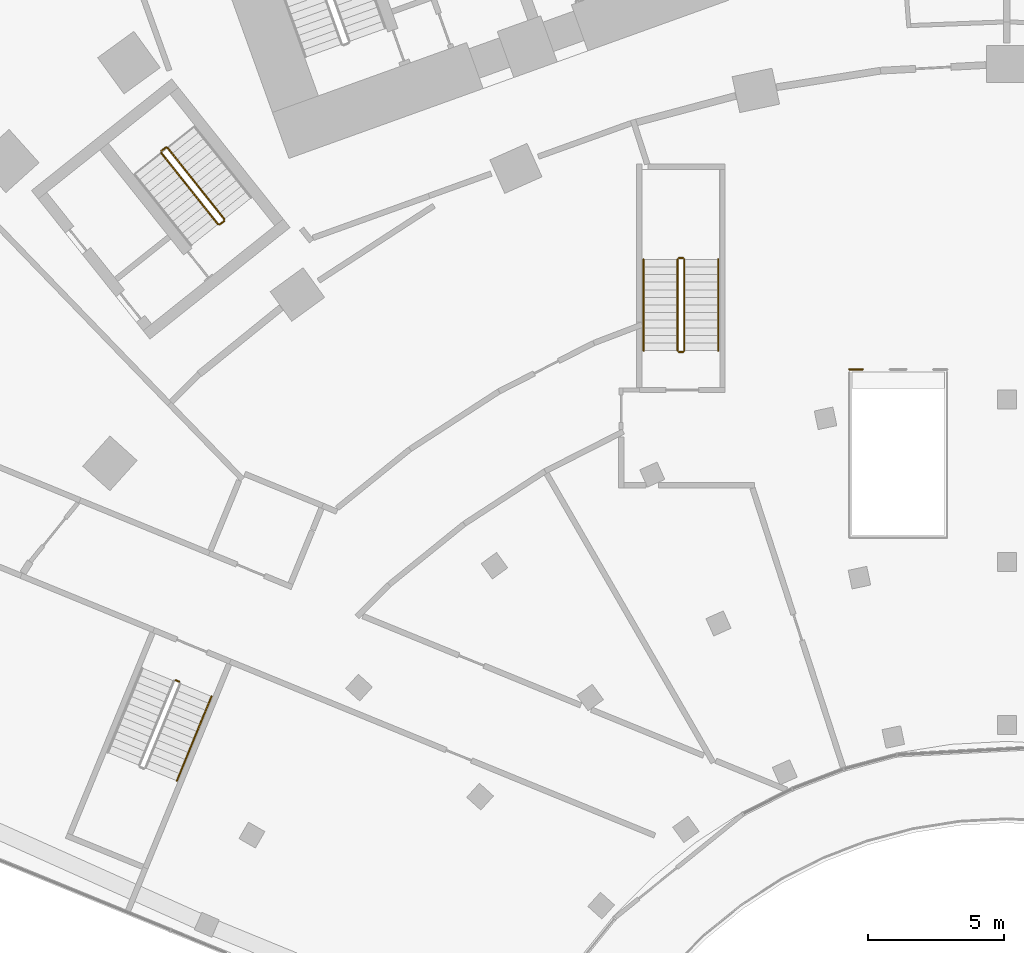
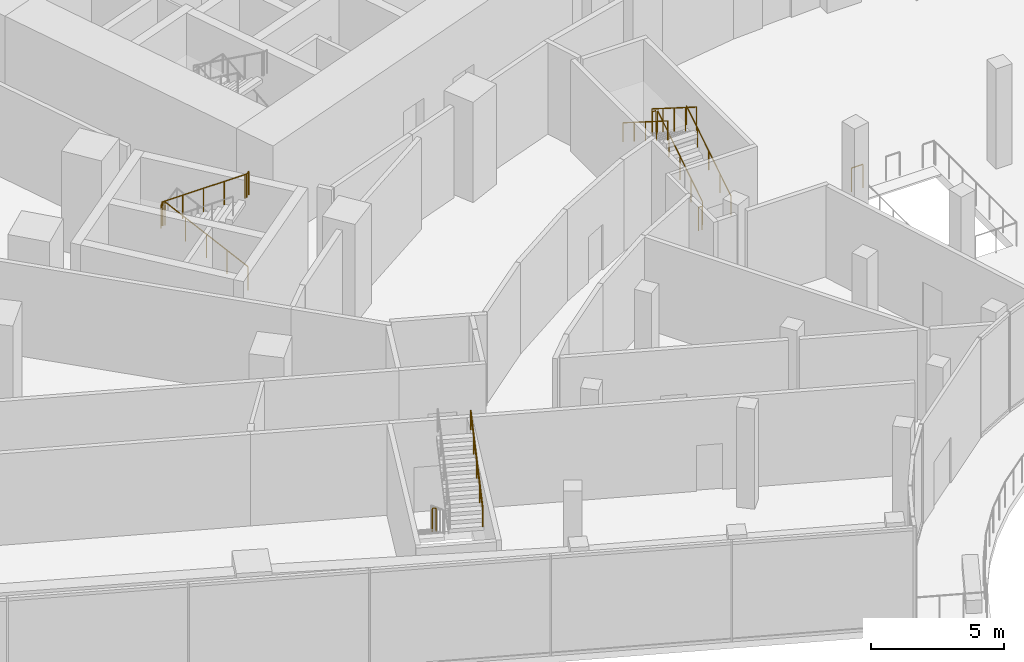
# One storey, part 33 of 40: 11 railings.
"""IFC4 building model written with IfcOpenShell, lengths in metres."""

from ifc_helpers import new_model, si_unit, direction, frame, origin, origin_2d, place, context, subcontext, project, spatial, circle, extrude, material, type_object, element, save


model = new_model("IFC4")

# Units and contexts
model_context = context("Model", 3, precision=1e-05, world=origin(), true_north=direction((0.0, 1.0)))
body_context = subcontext(model_context, "Body", "Model", "MODEL_VIEW")
ifc_project = project(units=[si_unit("LENGTHUNIT", "METRE"), si_unit("AREAUNIT", "SQUARE_METRE"), si_unit("VOLUMEUNIT", "CUBIC_METRE"), si_unit("PLANEANGLEUNIT", "RADIAN"), si_unit("MASSUNIT", "GRAM", prefix="KILO")], contexts=[model_context])

# Site, building, storey
site_placement = place(None, origin())
site = spatial("IfcSite", under=ifc_project, at=site_placement, CompositionType="ELEMENT")
building_placement = place(site_placement, origin())
building = spatial("IfcBuilding", under=site, at=building_placement, Name="Stone Belt Terrace Tower", CompositionType="ELEMENT")
storey_placement = place(building_placement, frame((0.0, 0.0, 7.0)))
storey = spatial("IfcBuildingStorey", under=building, at=storey_placement, Name="L01", CompositionType="ELEMENT", Elevation=7.0)

# Railings
ifc_material_1 = material(Name="Glass and stainless steel balustrade", Category="steel")
railing_type_1 = type_object("IfcRailingType", Name="Podium guard 1100", PredefinedType="GUARDRAIL", material=ifc_material_1)
railing_1_placement = place(storey_placement, frame((-5.800048828125, 33.199951171875, 0.0)))
element("IfcRailing", 1, at=railing_1_placement, inside=storey, type_object=railing_type_1, Name="Escalator E1 arrival edge guard 1", PredefinedType="GUARDRAIL", context=body_context, shape_type="SweptSolid", body=[
    extrude(circle(Radius=0.02392578125, at=origin_2d()), frame((0.0, 0.0, 1.076171875), z_axis=(1.0, 0.0, 0.0), x_axis=(0.0, 1.0, 0.0)), (0.0, 0.0, 1.0), 0.5),
    extrude(circle(Radius=0.02099609375, at=origin_2d()), origin(), (0.0, 0.0, 1.0), 1.052001953125),
    extrude(circle(Radius=0.02099609375, at=origin_2d()), frame((0.5, 0.0, 0.0)), (0.0, 0.0, 1.0), 1.052001953125),
])
ifc_material_2 = material(Name="Steel balustrade", Category="steel")
railing_type_2 = type_object("IfcRailingType", Name="Podium stair guard", PredefinedType="GUARDRAIL", material=ifc_material_2)
railing_2_placement = place(storey_placement, frame((-30.611572265625, 21.75439453125, 0.0)))
element("IfcRailing", 2, at=railing_2_placement, inside=storey, type_object=railing_type_2, Name="L01 PS1 stair guard 4", PredefinedType="GUARDRAIL", context=body_context, shape_type="SweptSolid", body=[
    extrude(circle(Radius=0.02392578125, at=origin_2d()), frame((0.0, 0.0, 1.076171875), z_axis=(0.925183283695, -0.379520607572, 0.0), x_axis=(0.379520607572, 0.925183283695, 0.0)), (0.0, 0.0, 1.0), 0.14990234375),
    extrude(circle(Radius=0.02099609375, at=origin_2d()), origin(), (0.0, 0.0, 1.0), 1.052001953125),
    extrude(circle(Radius=0.02099609375, at=origin_2d()), frame((0.138671875, -0.056884765625, 0.0)), (0.0, 0.0, 1.0), 1.052001953125),
])
railing_3_placement = place(storey_placement, frame((-11.875, 33.889892578125, 0.177001953125)))
element("IfcRailing", 3, at=railing_3_placement, inside=storey, type_object=railing_type_2, Name="L01 PS5 stair guard 1", PredefinedType="GUARDRAIL", context=body_context, shape_type="SweptSolid", body=[
    extrude(circle(Radius=0.02392578125, at=origin_2d()), frame((0.0, 0.0, 1.076171875), z_axis=(0.0, 0.845389635667, 0.534150132366), x_axis=(-1.0, 0.0, 0.0)), (0.0, 0.0, 1.0), 3.974609375),
    extrude(circle(Radius=0.02099609375, at=origin_2d()), origin(), (0.0, 0.0, 1.0), 1.052001953125),
    extrude(circle(Radius=0.02099609375, at=origin_2d()), frame((0.0, 0.840087890625, 0.53076171875)), (0.0, 0.0, 1.0), 1.052001953125),
    extrude(circle(Radius=0.02099609375, at=origin_2d()), frame((0.0, 1.68017578125, 1.0615234375)), (0.0, 0.0, 1.0), 1.052001953125),
    extrude(circle(Radius=0.02099609375, at=origin_2d()), frame((0.0, 2.52001953125, 1.59228515625)), (0.0, 0.0, 1.0), 1.052001953125),
    extrude(circle(Radius=0.02099609375, at=origin_2d()), frame((0.0, 3.360107421875, 2.123046875)), (0.0, 0.0, 1.0), 1.052001953125),
])
railing_4_placement = place(storey_placement, frame((-11.925048828125, 37.300048828125, 2.300048828125)))
element("IfcRailing", 4, at=railing_4_placement, inside=storey, type_object=railing_type_2, Name="L01 PS5 stair guard 2", PredefinedType="GUARDRAIL", context=body_context, shape_type="SweptSolid", body=[
    extrude(circle(Radius=0.02392578125, at=origin_2d()), frame((0.0, 0.0, 1.076171875), z_axis=(-1.0, 0.0, 0.0), x_axis=(0.0, -1.0, 0.0)), (0.0, 0.0, 1.0), 0.14990234375),
    extrude(circle(Radius=0.02099609375, at=origin_2d()), origin(), (0.0, 0.0, 1.0), 1.052001953125),
    extrude(circle(Radius=0.02099609375, at=origin_2d()), frame((-0.14990234375, 0.0, 0.0)), (0.0, 0.0, 1.0), 1.052001953125),
])
railing_5_placement = place(storey_placement, frame((-12.125, 37.25, 2.476806640625)))
element("IfcRailing", 5, at=railing_5_placement, inside=storey, type_object=railing_type_2, Name="L01 PS5 stair guard 3", PredefinedType="GUARDRAIL", context=body_context, shape_type="SweptSolid", body=[
    extrude(circle(Radius=0.02392578125, at=origin_2d()), frame((0.0, 0.0, 1.076171875), z_axis=(0.0, -0.845361898145, 0.534194029511), x_axis=(1.0, 0.0, 0.0)), (0.0, 0.0, 1.0), 3.974853515625),
    extrude(circle(Radius=0.02099609375, at=origin_2d()), origin(), (0.0, 0.0, 1.0), 1.052001953125),
    extrude(circle(Radius=0.02099609375, at=origin_2d()), frame((0.0, -0.840087890625, 0.53076171875)), (0.0, 0.0, 1.0), 1.052001953125),
    extrude(circle(Radius=0.02099609375, at=origin_2d()), frame((0.0, -1.68017578125, 1.0615234375)), (0.0, 0.0, 1.0), 1.052001953125),
    extrude(circle(Radius=0.02099609375, at=origin_2d()), frame((0.0, -2.52001953125, 1.592529296875)), (0.0, 0.0, 1.0), 1.052001953125),
    extrude(circle(Radius=0.02099609375, at=origin_2d()), frame((0.0, -3.360107421875, 2.123291015625)), (0.0, 0.0, 1.0), 1.052001953125),
])
railing_6_placement = place(storey_placement, frame((-11.925048828125, 33.840087890625, 0.0)))
element("IfcRailing", 6, at=railing_6_placement, inside=storey, type_object=railing_type_2, Name="L01 PS5 stair guard 4", PredefinedType="GUARDRAIL", context=body_context, shape_type="SweptSolid", body=[
    extrude(circle(Radius=0.02392578125, at=origin_2d()), frame((0.0, 0.0, 1.076171875), z_axis=(-1.0, 0.0, 0.0), x_axis=(0.0, -1.0, 0.0)), (0.0, 0.0, 1.0), 0.14990234375),
    extrude(circle(Radius=0.02099609375, at=origin_2d()), origin(), (0.0, 0.0, 1.0), 1.052001953125),
    extrude(circle(Radius=0.02099609375, at=origin_2d()), frame((-0.14990234375, 0.0, 0.0)), (0.0, 0.0, 1.0), 1.052001953125),
])
ifc_material_3 = material(Name="Stainless steel handrail", Category="steel")
railing_type_3 = type_object("IfcRailingType", Name="Podium stair handrail", PredefinedType="HANDRAIL", material=ifc_material_3)
railing_7_placement = place(storey_placement, frame((-30.563232421875, 18.049072265625, 2.476806640625)))
element("IfcRailing", 7, at=railing_7_placement, inside=storey, type_object=railing_type_3, Name="L01 PS1 stair handrail 2", PredefinedType="HANDRAIL", context=body_context, shape_type="SweptSolid", body=[
    extrude(circle(Radius=0.02392578125, at=origin_2d()), frame((0.0, 0.0, 0.8759765625), z_axis=(0.320621864463, 0.782206790025, 0.534185508665), x_axis=(-0.925286329636, 0.379269308261, 0.0)), (0.0, 0.0, 1.0), 3.974853515625),
    extrude(circle(Radius=0.02099609375, at=origin_2d()), origin(), (0.0, 0.0, 1.0), 0.851806640625),
    extrude(circle(Radius=0.02099609375, at=origin_2d()), frame((0.318603515625, 0.77734375, 0.53076171875)), (0.0, 0.0, 1.0), 0.851806640625),
    extrude(circle(Radius=0.02099609375, at=origin_2d()), frame((0.63720703125, 1.5546875, 1.0615234375)), (0.0, 0.0, 1.0), 0.851806640625),
    extrude(circle(Radius=0.02099609375, at=origin_2d()), frame((0.955810546875, 2.331787109375, 1.592529296875)), (0.0, 0.0, 1.0), 0.851806640625),
    extrude(circle(Radius=0.02099609375, at=origin_2d()), frame((1.2744140625, 3.109130859375, 2.123291015625)), (0.0, 0.0, 1.0), 0.851806640625),
])
railing_8_placement = place(storey_placement, frame((-10.625, 33.889892578125, 0.177001953125)))
element("IfcRailing", 8, at=railing_8_placement, inside=storey, type_object=railing_type_3, Name="L01 PS5 stair handrail 1", PredefinedType="HANDRAIL", context=body_context, shape_type="SweptSolid", body=[
    extrude(circle(Radius=0.02392578125, at=origin_2d()), frame((0.0, 0.0, 0.8759765625), z_axis=(0.0, 0.845389635667, 0.534150132366), x_axis=(-1.0, 0.0, 0.0)), (0.0, 0.0, 1.0), 3.974609375),
    extrude(circle(Radius=0.02099609375, at=origin_2d()), origin(), (0.0, 0.0, 1.0), 0.851806640625),
    extrude(circle(Radius=0.02099609375, at=origin_2d()), frame((0.0, 0.840087890625, 0.53076171875)), (0.0, 0.0, 1.0), 0.851806640625),
    extrude(circle(Radius=0.02099609375, at=origin_2d()), frame((0.0, 1.68017578125, 1.0615234375)), (0.0, 0.0, 1.0), 0.851806640625),
    extrude(circle(Radius=0.02099609375, at=origin_2d()), frame((0.0, 2.52001953125, 1.59228515625)), (0.0, 0.0, 1.0), 0.851806640625),
    extrude(circle(Radius=0.02099609375, at=origin_2d()), frame((0.0, 3.360107421875, 2.123046875)), (0.0, 0.0, 1.0), 0.851806640625),
])
railing_9_placement = place(storey_placement, frame((-13.375, 37.25, 2.476806640625)))
element("IfcRailing", 9, at=railing_9_placement, inside=storey, type_object=railing_type_3, Name="L01 PS5 stair handrail 2", PredefinedType="HANDRAIL", context=body_context, shape_type="SweptSolid", body=[
    extrude(circle(Radius=0.02392578125, at=origin_2d()), frame((0.0, 0.0, 0.8759765625), z_axis=(0.0, -0.845361898145, 0.534194029511), x_axis=(1.0, 0.0, 0.0)), (0.0, 0.0, 1.0), 3.974853515625),
    extrude(circle(Radius=0.02099609375, at=origin_2d()), origin(), (0.0, 0.0, 1.0), 0.851806640625),
    extrude(circle(Radius=0.02099609375, at=origin_2d()), frame((0.0, -0.840087890625, 0.53076171875)), (0.0, 0.0, 1.0), 0.851806640625),
    extrude(circle(Radius=0.02099609375, at=origin_2d()), frame((0.0, -1.68017578125, 1.0615234375)), (0.0, 0.0, 1.0), 0.851806640625),
    extrude(circle(Radius=0.02099609375, at=origin_2d()), frame((0.0, -2.52001953125, 1.592529296875)), (0.0, 0.0, 1.0), 0.851806640625),
    extrude(circle(Radius=0.02099609375, at=origin_2d()), frame((0.0, -3.360107421875, 2.123291015625)), (0.0, 0.0, 1.0), 0.851806640625),
])
ifc_material_4 = material(Name="Structural steel C345", Category="steel")
railing_type_4 = type_object("IfcRailingType", Name="Stair guard 1100", PredefinedType="GUARDRAIL", material=ifc_material_4)
railing_10_placement = place(storey_placement, frame((-28.814208984375, 38.734619140625, 0.177001953125)))
element("IfcRailing", 10, at=railing_10_placement, inside=storey, type_object=railing_type_4, Name="L01 ST3A stair guard 1", PredefinedType="GUARDRAIL", context=body_context, shape_type="SweptSolid", body=[
    extrude(circle(Radius=0.02392578125, at=origin_2d()), frame((0.0, 0.0, 1.076171875), z_axis=(-0.526787798416, 0.661187483926, 0.534158896341), x_axis=(-0.782114881682, -0.623134264707, 0.0)), (0.0, 0.0, 1.0), 3.974609375),
    extrude(circle(Radius=0.02392578125, at=origin_2d()), frame((-2.09375, 2.6279296875, 3.19921875), z_axis=(-0.993883734674, 0.110431526075, 0.0), x_axis=(-0.110431526075, -0.993883734674, 0.0)), (0.0, 0.0, 1.0), 0.07080078125),
    extrude(circle(Radius=0.02392578125, at=origin_2d()), frame((-2.1640625, 2.6357421875, 3.19921875), z_axis=(-0.782059551443, -0.623203705056, 0.0), x_axis=(0.623203705056, -0.782059551443, 0.0)), (0.0, 0.0, 1.0), 0.19970703125),
    extrude(circle(Radius=0.02099609375, at=origin_2d()), origin(), (0.0, 0.0, 1.0), 1.052001953125),
    extrude(circle(Radius=0.02099609375, at=origin_2d()), frame((-0.5234375, 0.656982421875, 0.53076171875)), (0.0, 0.0, 1.0), 1.052001953125),
    extrude(circle(Radius=0.02099609375, at=origin_2d()), frame((-1.046875, 1.31396484375, 1.0615234375)), (0.0, 0.0, 1.0), 1.052001953125),
    extrude(circle(Radius=0.02099609375, at=origin_2d()), frame((-1.5703125, 1.970947265625, 1.59228515625)), (0.0, 0.0, 1.0), 1.052001953125),
    extrude(circle(Radius=0.02099609375, at=origin_2d()), frame((-2.09375, 2.6279296875, 2.123046875)), (0.0, 0.0, 1.0), 1.052001953125),
    extrude(circle(Radius=0.02099609375, at=origin_2d()), frame((-2.1640625, 2.6357421875, 2.123046875)), (0.0, 0.0, 1.0), 1.052001953125),
    extrude(circle(Radius=0.02099609375, at=origin_2d()), frame((-2.3203125, 2.51123046875, 2.123046875)), (0.0, 0.0, 1.0), 1.052001953125),
])
railing_11_placement = place(storey_placement, frame((-31.142578125, 41.175537109375, 2.476806640625)))
element("IfcRailing", 11, at=railing_11_placement, inside=storey, type_object=railing_type_4, Name="L01 ST3A stair guard 2", PredefinedType="GUARDRAIL", context=body_context, shape_type="SweptSolid", body=[
    extrude(circle(Radius=0.02392578125, at=origin_2d()), frame((0.0, 0.0, 1.076171875), z_axis=(0.526770513761, -0.661165789427, 0.534202793631), x_axis=(0.782114881682, 0.623134264707, 0.0)), (0.0, 0.0, 1.0), 3.974609375),
    extrude(circle(Radius=0.02392578125, at=origin_2d()), frame((2.09375, -2.6279296875, 3.19921875), z_axis=(0.993499272973, -0.113838458361, 0.0), x_axis=(0.113838458361, 0.993499272973, 0.0)), (0.0, 0.0, 1.0), 0.07080078125),
    extrude(circle(Radius=0.02392578125, at=origin_2d()), frame((2.1640625, -2.635986328125, 3.19921875), z_axis=(0.781464082609, 0.623950228458, 0.0), x_axis=(-0.623950228458, 0.781464082609, 0.0)), (0.0, 0.0, 1.0), 0.199951171875),
    extrude(circle(Radius=0.02099609375, at=origin_2d()), origin(), (0.0, 0.0, 1.0), 1.052001953125),
    extrude(circle(Radius=0.02099609375, at=origin_2d()), frame((0.5234375, -0.656982421875, 0.53076171875)), (0.0, 0.0, 1.0), 1.052001953125),
    extrude(circle(Radius=0.02099609375, at=origin_2d()), frame((1.046875, -1.31396484375, 1.0615234375)), (0.0, 0.0, 1.0), 1.052001953125),
    extrude(circle(Radius=0.02099609375, at=origin_2d()), frame((1.5703125, -1.970947265625, 1.592529296875)), (0.0, 0.0, 1.0), 1.052001953125),
    extrude(circle(Radius=0.02099609375, at=origin_2d()), frame((2.09375, -2.6279296875, 2.123291015625)), (0.0, 0.0, 1.0), 1.052001953125),
    extrude(circle(Radius=0.02099609375, at=origin_2d()), frame((2.1640625, -2.635986328125, 2.123291015625)), (0.0, 0.0, 1.0), 1.052001953125),
    extrude(circle(Radius=0.02099609375, at=origin_2d()), frame((2.3203125, -2.51123046875, 2.123291015625)), (0.0, 0.0, 1.0), 1.052001953125),
])

save(model, "model.ifc")
